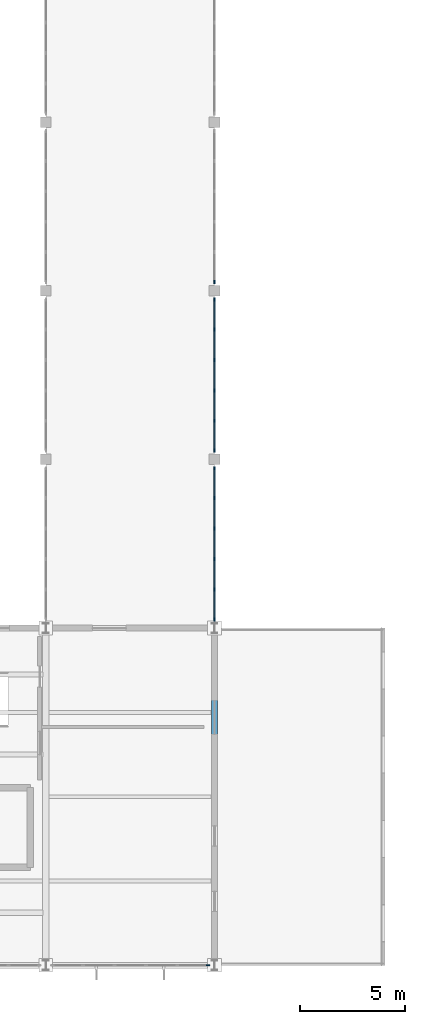
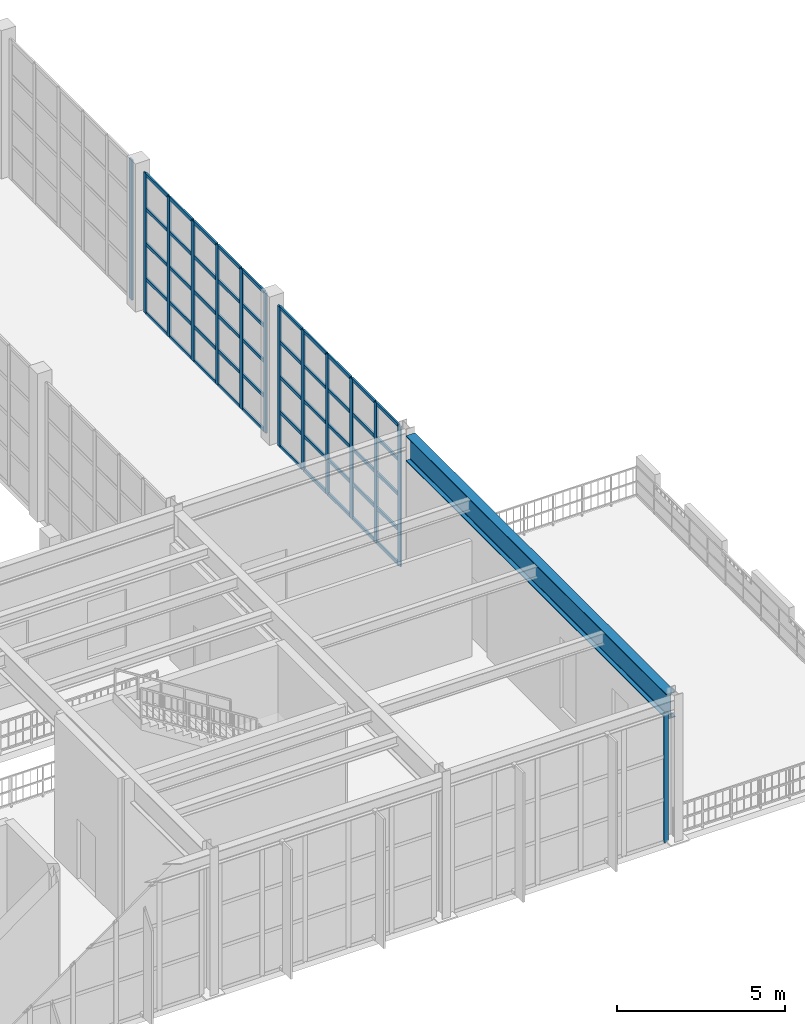
# One storey, part 39 of 82: 64 members, 1 beam, 4 elements without a shape of their own.
"""IFC4 building model written with IfcOpenShell, lengths in metres."""

from ifc_helpers import new_model, si_unit, direction, frame, origin, origin_2d, place, context, subcontext, project, spatial, rectangle, i_section, extrude, material, material_profile, profile_set, type_object, element, aggregate, save


model = new_model("IFC4")

# Units and contexts
model_context = context("Model", 3, precision=1e-05, world=origin(), true_north=direction((0.0, 1.0)))
body_context = subcontext(model_context, "Body", "Model", "MODEL_VIEW")
ifc_project = project(units=[si_unit("LENGTHUNIT", "METRE"), si_unit("AREAUNIT", "SQUARE_METRE"), si_unit("VOLUMEUNIT", "CUBIC_METRE"), si_unit("PLANEANGLEUNIT", "RADIAN"), si_unit("MASSUNIT", "GRAM", prefix="KILO")], contexts=[model_context])

# Site, building, storey
site_placement = place(None, origin())
site = spatial("IfcSite", under=ifc_project, at=site_placement, CompositionType="ELEMENT")
building_placement = place(site_placement, origin())
building = spatial("IfcBuilding", under=site, at=building_placement, Name="Serraluz Foothill Cableway Terminal", CompositionType="ELEMENT")
storey_placement = place(building_placement, frame((0.0, 0.0, 9.60009765625)))
storey = spatial("IfcBuildingStorey", under=building, at=storey_placement, Name="L02", CompositionType="ELEMENT", Elevation=9.60009765625)

# Beam
ifc_material_1 = material(Name="Steel ASTM A992 Grade 50", Category="steel")
ifc_material_profile_1 = material_profile(ifc_material_1, i_section(OverallWidth=0.30810546875, OverallDepth=0.927001953125, WebThickness=0.019287109375, FlangeThickness=0.031982421875, FilletRadius=0.02587890625, at=origin_2d()), Name="W36X194")
ifc_profile_set_1 = profile_set([ifc_material_profile_1], Name="Steel ASTM A992 Grade 50")
beam_type = type_object("IfcBeamType", Name="TYP-BM-W36X194", PredefinedType="BEAM", material=ifc_profile_set_1)
beam_placement = place(storey_placement, frame((128.0, 0.23193359375, 4.701416015625), z_axis=(0.0, 1.0, 0.0), x_axis=(-1.0, 0.0, 0.0)))
element("IfcBeam", 1, at=beam_placement, inside=storey, type_object=beam_type, Name="Transverse Girder BM-Y-L02-0344", PredefinedType="BEAM", context=body_context, shape_type="SweptSolid", body=[
    extrude(i_section(OverallWidth=0.30810546875, OverallDepth=0.927001953125, WebThickness=0.019287109375, FlangeThickness=0.031982421875, FilletRadius=0.02587890625, at=origin_2d()), origin(), (0.0, 0.0, 1.0), 15.5361328125),
])

# Curtain wall, member
ifc_material_2 = material(Name="Architectural bronze alloy C28000", Category="aluminium")
curtain_wall_type_1 = type_object("IfcCurtainWallType", Name="TYP-CW-440X360", PredefinedType="NOTDEFINED", material=ifc_material_2)
curtain_wall_1_placement = place(storey_placement, origin())
curtain_wall_1 = element("IfcCurtainWall", 2, at=curtain_wall_1_placement, inside=storey, type_object=curtain_wall_type_1, Name="Ribbed Glazed Curtain Wall CW-V3S-L02-120", PredefinedType="NOTDEFINED")
ifc_material_profile_2 = material_profile(ifc_material_2, rectangle(XDim=0.06005859375, YDim=0.159912109375, at=origin_2d()), Name="ALU MULLION 60x160")
ifc_profile_set_2 = profile_set([ifc_material_profile_2], Name="Architectural bronze alloy C28000")
member_type_1 = type_object("IfcMemberType", Name="TYP-CW-MUL-60X160", PredefinedType="MULLION", material=ifc_profile_set_2)
member_1_placement = place(storey_placement, frame((127.6884765625, 0.0, 0.0), z_axis=(0.0, 0.0, 1.0), x_axis=(0.0, -1.0, 0.0)))
member_1 = element("IfcMember", 3, at=member_1_placement, type_object=member_type_1, Name="CW-16 mullion 1", PredefinedType="MULLION", context=body_context, shape_type="SweptSolid", body=[
    extrude(rectangle(XDim=0.06005859375, YDim=0.159912109375, at=origin_2d()), origin(), (0.0, 0.0, 1.0), 4.69287109375),
])
aggregate(curtain_wall_1, [member_1])

# Curtain wall, members
curtain_wall_type_2 = type_object("IfcCurtainWallType", Name="TYP-CW-710X420", PredefinedType="NOTDEFINED", material=ifc_material_2)
curtain_wall_2_placement = place(storey_placement, origin())
curtain_wall_2 = element("IfcCurtainWall", 4, at=curtain_wall_2_placement, inside=storey, type_object=curtain_wall_type_2, Name="Ribbed Glazed Curtain Wall CW-CLE-L02-16", PredefinedType="NOTDEFINED")
member_2_placement = place(storey_placement, frame((128.0, 23.580078125, 0.0), z_axis=(0.0, 0.0, 1.0), x_axis=(1.0, 0.0, 0.0)))
member_2 = element("IfcMember", 5, at=member_2_placement, type_object=member_type_1, Name="CW-01 mullion 1", PredefinedType="MULLION", context=body_context, shape_type="SweptSolid", body=[
    extrude(rectangle(XDim=0.06005859375, YDim=0.159912109375, at=origin_2d()), origin(), (0.0, 0.0, 1.0), 5.099853515625),
])
member_3_placement = place(storey_placement, frame((128.0, 22.1630859375, 0.0), z_axis=(0.0, 0.0, 1.0), x_axis=(1.0, 0.0, 0.0)))
member_3 = element("IfcMember", 6, at=member_3_placement, type_object=member_type_1, Name="CW-01 mullion 2", PredefinedType="MULLION", context=body_context, shape_type="SweptSolid", body=[
    extrude(rectangle(XDim=0.06005859375, YDim=0.159912109375, at=origin_2d()), origin(), (0.0, 0.0, 1.0), 5.099853515625),
])
member_4_placement = place(storey_placement, frame((128.0, 20.71630859375, 0.0), z_axis=(0.0, 0.0, 1.0), x_axis=(1.0, 0.0, 0.0)))
member_4 = element("IfcMember", 7, at=member_4_placement, type_object=member_type_1, Name="CW-01 mullion 3", PredefinedType="MULLION", context=body_context, shape_type="SweptSolid", body=[
    extrude(rectangle(XDim=0.06005859375, YDim=0.159912109375, at=origin_2d()), origin(), (0.0, 0.0, 1.0), 5.099853515625),
])
member_5_placement = place(storey_placement, frame((128.0, 19.26953125, 0.0), z_axis=(0.0, 0.0, 1.0), x_axis=(1.0, 0.0, 0.0)))
member_5 = element("IfcMember", 8, at=member_5_placement, type_object=member_type_1, Name="CW-01 mullion 4", PredefinedType="MULLION", context=body_context, shape_type="SweptSolid", body=[
    extrude(rectangle(XDim=0.06005859375, YDim=0.159912109375, at=origin_2d()), origin(), (0.0, 0.0, 1.0), 5.099853515625),
])
member_6_placement = place(storey_placement, frame((128.0, 17.82275390625, 0.0), z_axis=(0.0, 0.0, 1.0), x_axis=(1.0, 0.0, 0.0)))
member_6 = element("IfcMember", 9, at=member_6_placement, type_object=member_type_1, Name="CW-01 mullion 5", PredefinedType="MULLION", context=body_context, shape_type="SweptSolid", body=[
    extrude(rectangle(XDim=0.06005859375, YDim=0.159912109375, at=origin_2d()), origin(), (0.0, 0.0, 1.0), 5.099853515625),
])
member_7_placement = place(storey_placement, frame((128.0, 16.406005859375, 0.0), z_axis=(0.0, 0.0, 1.0), x_axis=(1.0, 0.0, 0.0)))
member_7 = element("IfcMember", 10, at=member_7_placement, type_object=member_type_1, Name="CW-01 mullion 6", PredefinedType="MULLION", context=body_context, shape_type="SweptSolid", body=[
    extrude(rectangle(XDim=0.06005859375, YDim=0.159912109375, at=origin_2d()), origin(), (0.0, 0.0, 1.0), 5.099853515625),
])

curtain_wall_3_placement = place(storey_placement, origin())
curtain_wall_3 = element("IfcCurtainWall", 11, at=curtain_wall_3_placement, inside=storey, type_object=curtain_wall_type_2, Name="Ribbed Glazed Curtain Wall CW-CLE-L02-24", PredefinedType="NOTDEFINED")
member_8_placement = place(storey_placement, frame((128.0, 31.580078125, 0.0), z_axis=(0.0, 0.0, 1.0), x_axis=(1.0, 0.0, 0.0)))
member_8 = element("IfcMember", 12, at=member_8_placement, type_object=member_type_1, Name="CW-01 mullion 1", PredefinedType="MULLION", context=body_context, shape_type="SweptSolid", body=[
    extrude(rectangle(XDim=0.06005859375, YDim=0.159912109375, at=origin_2d()), origin(), (0.0, 0.0, 1.0), 5.099853515625),
])
member_9_placement = place(storey_placement, frame((128.0, 30.166015625, 0.0), z_axis=(0.0, 0.0, 1.0), x_axis=(1.0, 0.0, 0.0)))
member_9 = element("IfcMember", 13, at=member_9_placement, type_object=member_type_1, Name="CW-01 mullion 2", PredefinedType="MULLION", context=body_context, shape_type="SweptSolid", body=[
    extrude(rectangle(XDim=0.06005859375, YDim=0.159912109375, at=origin_2d()), origin(), (0.0, 0.0, 1.0), 5.099853515625),
])
member_10_placement = place(storey_placement, frame((128.0, 28.721923828125, 0.0), z_axis=(0.0, 0.0, 1.0), x_axis=(1.0, 0.0, 0.0)))
member_10 = element("IfcMember", 14, at=member_10_placement, type_object=member_type_1, Name="CW-01 mullion 3", PredefinedType="MULLION", context=body_context, shape_type="SweptSolid", body=[
    extrude(rectangle(XDim=0.06005859375, YDim=0.159912109375, at=origin_2d()), origin(), (0.0, 0.0, 1.0), 5.099853515625),
])
member_11_placement = place(storey_placement, frame((128.0, 27.278076171875, 0.0), z_axis=(0.0, 0.0, 1.0), x_axis=(1.0, 0.0, 0.0)))
member_11 = element("IfcMember", 15, at=member_11_placement, type_object=member_type_1, Name="CW-01 mullion 4", PredefinedType="MULLION", context=body_context, shape_type="SweptSolid", body=[
    extrude(rectangle(XDim=0.06005859375, YDim=0.159912109375, at=origin_2d()), origin(), (0.0, 0.0, 1.0), 5.099853515625),
])
member_12_placement = place(storey_placement, frame((128.0, 25.833984375, 0.0), z_axis=(0.0, 0.0, 1.0), x_axis=(1.0, 0.0, 0.0)))
member_12 = element("IfcMember", 16, at=member_12_placement, type_object=member_type_1, Name="CW-01 mullion 5", PredefinedType="MULLION", context=body_context, shape_type="SweptSolid", body=[
    extrude(rectangle(XDim=0.06005859375, YDim=0.159912109375, at=origin_2d()), origin(), (0.0, 0.0, 1.0), 5.099853515625),
])
member_13_placement = place(storey_placement, frame((128.0, 24.419921875, 0.0), z_axis=(0.0, 0.0, 1.0), x_axis=(1.0, 0.0, 0.0)))
member_13 = element("IfcMember", 17, at=member_13_placement, type_object=member_type_1, Name="CW-01 mullion 6", PredefinedType="MULLION", context=body_context, shape_type="SweptSolid", body=[
    extrude(rectangle(XDim=0.06005859375, YDim=0.159912109375, at=origin_2d()), origin(), (0.0, 0.0, 1.0), 5.099853515625),
])

# Curtain wall, member
curtain_wall_4_placement = place(storey_placement, origin())
curtain_wall_4 = element("IfcCurtainWall", 18, at=curtain_wall_4_placement, inside=storey, type_object=curtain_wall_type_2, Name="Ribbed Glazed Curtain Wall CW-CLE-L02-32", PredefinedType="NOTDEFINED")
member_14_placement = place(storey_placement, frame((128.0, 32.419921875, 0.0), z_axis=(0.0, 0.0, 1.0), x_axis=(1.0, 0.0, 0.0)))
member_14 = element("IfcMember", 19, at=member_14_placement, type_object=member_type_1, Name="CW-01 mullion 6", PredefinedType="MULLION", context=body_context, shape_type="SweptSolid", body=[
    extrude(rectangle(XDim=0.06005859375, YDim=0.159912109375, at=origin_2d()), origin(), (0.0, 0.0, 1.0), 5.099853515625),
])
aggregate(curtain_wall_4, [member_14])

# Member
ifc_material_profile_3 = material_profile(ifc_material_2, rectangle(XDim=0.06005859375, YDim=0.1201171875, at=origin_2d()), Name="ALU TRANSOM 60x120")
ifc_profile_set_3 = profile_set([ifc_material_profile_3], Name="Architectural bronze alloy C28000")
member_type_2 = type_object("IfcMemberType", Name="TYP-CW-TRN-60X120", PredefinedType="USERDEFINED", material=ifc_profile_set_3)
member_15_placement = place(storey_placement, frame((128.0, 23.550048828125, 0.02978515625), z_axis=(0.0, -1.0, 0.0), x_axis=(1.0, 0.0, 0.0)))
member_15 = element("IfcMember", 20, at=member_15_placement, type_object=member_type_2, Name="CW-01 transom 1.1", ObjectType="TRANSOM", PredefinedType="USERDEFINED", context=body_context, shape_type="SweptSolid", body=[
    extrude(rectangle(XDim=0.06005859375, YDim=0.1201171875, at=origin_2d()), origin(), (0.0, 0.0, 1.0), 1.35693359375),
])

member_16_placement = place(storey_placement, frame((128.0, 23.550048828125, 1.27490234375), z_axis=(0.0, -1.0, 0.0), x_axis=(1.0, 0.0, 0.0)))
member_16 = element("IfcMember", 21, at=member_16_placement, type_object=member_type_2, Name="CW-01 transom 1.2", ObjectType="TRANSOM", PredefinedType="USERDEFINED", context=body_context, shape_type="SweptSolid", body=[
    extrude(rectangle(XDim=0.06005859375, YDim=0.1201171875, at=origin_2d()), origin(), (0.0, 0.0, 1.0), 1.35693359375),
])

member_17_placement = place(storey_placement, frame((128.0, 23.550048828125, 2.5498046875), z_axis=(0.0, -1.0, 0.0), x_axis=(1.0, 0.0, 0.0)))
member_17 = element("IfcMember", 22, at=member_17_placement, type_object=member_type_2, Name="CW-01 transom 1.3", ObjectType="TRANSOM", PredefinedType="USERDEFINED", context=body_context, shape_type="SweptSolid", body=[
    extrude(rectangle(XDim=0.06005859375, YDim=0.1201171875, at=origin_2d()), origin(), (0.0, 0.0, 1.0), 1.35693359375),
])

member_18_placement = place(storey_placement, frame((128.0, 23.550048828125, 3.824951171875), z_axis=(0.0, -1.0, 0.0), x_axis=(1.0, 0.0, 0.0)))
member_18 = element("IfcMember", 23, at=member_18_placement, type_object=member_type_2, Name="CW-01 transom 1.4", ObjectType="TRANSOM", PredefinedType="USERDEFINED", context=body_context, shape_type="SweptSolid", body=[
    extrude(rectangle(XDim=0.06005859375, YDim=0.1201171875, at=origin_2d()), origin(), (0.0, 0.0, 1.0), 1.35693359375),
])

member_19_placement = place(storey_placement, frame((128.0, 23.550048828125, 5.06982421875), z_axis=(0.0, -1.0, 0.0), x_axis=(1.0, 0.0, 0.0)))
member_19 = element("IfcMember", 24, at=member_19_placement, type_object=member_type_2, Name="CW-01 transom 1.5", ObjectType="TRANSOM", PredefinedType="USERDEFINED", context=body_context, shape_type="SweptSolid", body=[
    extrude(rectangle(XDim=0.06005859375, YDim=0.1201171875, at=origin_2d()), origin(), (0.0, 0.0, 1.0), 1.35693359375),
])

member_20_placement = place(storey_placement, frame((128.0, 22.13330078125, 0.02978515625), z_axis=(0.0, -1.0, 0.0), x_axis=(1.0, 0.0, 0.0)))
member_20 = element("IfcMember", 25, at=member_20_placement, type_object=member_type_2, Name="CW-01 transom 2.1", ObjectType="TRANSOM", PredefinedType="USERDEFINED", context=body_context, shape_type="SweptSolid", body=[
    extrude(rectangle(XDim=0.06005859375, YDim=0.1201171875, at=origin_2d()), origin(), (0.0, 0.0, 1.0), 1.386962890625),
])

member_21_placement = place(storey_placement, frame((128.0, 22.13330078125, 1.27490234375), z_axis=(0.0, -1.0, 0.0), x_axis=(1.0, 0.0, 0.0)))
member_21 = element("IfcMember", 26, at=member_21_placement, type_object=member_type_2, Name="CW-01 transom 2.2", ObjectType="TRANSOM", PredefinedType="USERDEFINED", context=body_context, shape_type="SweptSolid", body=[
    extrude(rectangle(XDim=0.06005859375, YDim=0.1201171875, at=origin_2d()), origin(), (0.0, 0.0, 1.0), 1.386962890625),
])

member_22_placement = place(storey_placement, frame((128.0, 22.13330078125, 2.5498046875), z_axis=(0.0, -1.0, 0.0), x_axis=(1.0, 0.0, 0.0)))
member_22 = element("IfcMember", 27, at=member_22_placement, type_object=member_type_2, Name="CW-01 transom 2.3", ObjectType="TRANSOM", PredefinedType="USERDEFINED", context=body_context, shape_type="SweptSolid", body=[
    extrude(rectangle(XDim=0.06005859375, YDim=0.1201171875, at=origin_2d()), origin(), (0.0, 0.0, 1.0), 1.386962890625),
])

member_23_placement = place(storey_placement, frame((128.0, 22.13330078125, 3.824951171875), z_axis=(0.0, -1.0, 0.0), x_axis=(1.0, 0.0, 0.0)))
member_23 = element("IfcMember", 28, at=member_23_placement, type_object=member_type_2, Name="CW-01 transom 2.4", ObjectType="TRANSOM", PredefinedType="USERDEFINED", context=body_context, shape_type="SweptSolid", body=[
    extrude(rectangle(XDim=0.06005859375, YDim=0.1201171875, at=origin_2d()), origin(), (0.0, 0.0, 1.0), 1.386962890625),
])

member_24_placement = place(storey_placement, frame((128.0, 22.13330078125, 5.06982421875), z_axis=(0.0, -1.0, 0.0), x_axis=(1.0, 0.0, 0.0)))
member_24 = element("IfcMember", 29, at=member_24_placement, type_object=member_type_2, Name="CW-01 transom 2.5", ObjectType="TRANSOM", PredefinedType="USERDEFINED", context=body_context, shape_type="SweptSolid", body=[
    extrude(rectangle(XDim=0.06005859375, YDim=0.1201171875, at=origin_2d()), origin(), (0.0, 0.0, 1.0), 1.386962890625),
])

member_25_placement = place(storey_placement, frame((128.0, 20.686279296875, 0.02978515625), z_axis=(0.0, -1.0, 0.0), x_axis=(1.0, 0.0, 0.0)))
member_25 = element("IfcMember", 30, at=member_25_placement, type_object=member_type_2, Name="CW-01 transom 3.1", ObjectType="TRANSOM", PredefinedType="USERDEFINED", context=body_context, shape_type="SweptSolid", body=[
    extrude(rectangle(XDim=0.06005859375, YDim=0.1201171875, at=origin_2d()), origin(), (0.0, 0.0, 1.0), 1.38671875),
])

member_26_placement = place(storey_placement, frame((128.0, 20.686279296875, 1.27490234375), z_axis=(0.0, -1.0, 0.0), x_axis=(1.0, 0.0, 0.0)))
member_26 = element("IfcMember", 31, at=member_26_placement, type_object=member_type_2, Name="CW-01 transom 3.2", ObjectType="TRANSOM", PredefinedType="USERDEFINED", context=body_context, shape_type="SweptSolid", body=[
    extrude(rectangle(XDim=0.06005859375, YDim=0.1201171875, at=origin_2d()), origin(), (0.0, 0.0, 1.0), 1.38671875),
])

member_27_placement = place(storey_placement, frame((128.0, 20.686279296875, 2.5498046875), z_axis=(0.0, -1.0, 0.0), x_axis=(1.0, 0.0, 0.0)))
member_27 = element("IfcMember", 32, at=member_27_placement, type_object=member_type_2, Name="CW-01 transom 3.3", ObjectType="TRANSOM", PredefinedType="USERDEFINED", context=body_context, shape_type="SweptSolid", body=[
    extrude(rectangle(XDim=0.06005859375, YDim=0.1201171875, at=origin_2d()), origin(), (0.0, 0.0, 1.0), 1.38671875),
])

member_28_placement = place(storey_placement, frame((128.0, 20.686279296875, 3.824951171875), z_axis=(0.0, -1.0, 0.0), x_axis=(1.0, 0.0, 0.0)))
member_28 = element("IfcMember", 33, at=member_28_placement, type_object=member_type_2, Name="CW-01 transom 3.4", ObjectType="TRANSOM", PredefinedType="USERDEFINED", context=body_context, shape_type="SweptSolid", body=[
    extrude(rectangle(XDim=0.06005859375, YDim=0.1201171875, at=origin_2d()), origin(), (0.0, 0.0, 1.0), 1.38671875),
])

member_29_placement = place(storey_placement, frame((128.0, 20.686279296875, 5.06982421875), z_axis=(0.0, -1.0, 0.0), x_axis=(1.0, 0.0, 0.0)))
member_29 = element("IfcMember", 34, at=member_29_placement, type_object=member_type_2, Name="CW-01 transom 3.5", ObjectType="TRANSOM", PredefinedType="USERDEFINED", context=body_context, shape_type="SweptSolid", body=[
    extrude(rectangle(XDim=0.06005859375, YDim=0.1201171875, at=origin_2d()), origin(), (0.0, 0.0, 1.0), 1.38671875),
])

member_30_placement = place(storey_placement, frame((128.0, 19.239501953125, 0.02978515625), z_axis=(0.0, -1.0, 0.0), x_axis=(1.0, 0.0, 0.0)))
member_30 = element("IfcMember", 35, at=member_30_placement, type_object=member_type_2, Name="CW-01 transom 4.1", ObjectType="TRANSOM", PredefinedType="USERDEFINED", context=body_context, shape_type="SweptSolid", body=[
    extrude(rectangle(XDim=0.06005859375, YDim=0.1201171875, at=origin_2d()), origin(), (0.0, 0.0, 1.0), 1.38671875),
])

member_31_placement = place(storey_placement, frame((128.0, 19.239501953125, 1.27490234375), z_axis=(0.0, -1.0, 0.0), x_axis=(1.0, 0.0, 0.0)))
member_31 = element("IfcMember", 36, at=member_31_placement, type_object=member_type_2, Name="CW-01 transom 4.2", ObjectType="TRANSOM", PredefinedType="USERDEFINED", context=body_context, shape_type="SweptSolid", body=[
    extrude(rectangle(XDim=0.06005859375, YDim=0.1201171875, at=origin_2d()), origin(), (0.0, 0.0, 1.0), 1.38671875),
])

member_32_placement = place(storey_placement, frame((128.0, 19.239501953125, 2.5498046875), z_axis=(0.0, -1.0, 0.0), x_axis=(1.0, 0.0, 0.0)))
member_32 = element("IfcMember", 37, at=member_32_placement, type_object=member_type_2, Name="CW-01 transom 4.3", ObjectType="TRANSOM", PredefinedType="USERDEFINED", context=body_context, shape_type="SweptSolid", body=[
    extrude(rectangle(XDim=0.06005859375, YDim=0.1201171875, at=origin_2d()), origin(), (0.0, 0.0, 1.0), 1.38671875),
])

member_33_placement = place(storey_placement, frame((128.0, 19.239501953125, 3.824951171875), z_axis=(0.0, -1.0, 0.0), x_axis=(1.0, 0.0, 0.0)))
member_33 = element("IfcMember", 38, at=member_33_placement, type_object=member_type_2, Name="CW-01 transom 4.4", ObjectType="TRANSOM", PredefinedType="USERDEFINED", context=body_context, shape_type="SweptSolid", body=[
    extrude(rectangle(XDim=0.06005859375, YDim=0.1201171875, at=origin_2d()), origin(), (0.0, 0.0, 1.0), 1.38671875),
])

member_34_placement = place(storey_placement, frame((128.0, 19.239501953125, 5.06982421875), z_axis=(0.0, -1.0, 0.0), x_axis=(1.0, 0.0, 0.0)))
member_34 = element("IfcMember", 39, at=member_34_placement, type_object=member_type_2, Name="CW-01 transom 4.5", ObjectType="TRANSOM", PredefinedType="USERDEFINED", context=body_context, shape_type="SweptSolid", body=[
    extrude(rectangle(XDim=0.06005859375, YDim=0.1201171875, at=origin_2d()), origin(), (0.0, 0.0, 1.0), 1.38671875),
])

member_35_placement = place(storey_placement, frame((128.0, 17.792724609375, 0.02978515625), z_axis=(0.0, -1.0, 0.0), x_axis=(1.0, 0.0, 0.0)))
member_35 = element("IfcMember", 40, at=member_35_placement, type_object=member_type_2, Name="CW-01 transom 5.1", ObjectType="TRANSOM", PredefinedType="USERDEFINED", context=body_context, shape_type="SweptSolid", body=[
    extrude(rectangle(XDim=0.06005859375, YDim=0.1201171875, at=origin_2d()), origin(), (0.0, 0.0, 1.0), 1.356689453125),
])

member_36_placement = place(storey_placement, frame((128.0, 17.792724609375, 1.27490234375), z_axis=(0.0, -1.0, 0.0), x_axis=(1.0, 0.0, 0.0)))
member_36 = element("IfcMember", 41, at=member_36_placement, type_object=member_type_2, Name="CW-01 transom 5.2", ObjectType="TRANSOM", PredefinedType="USERDEFINED", context=body_context, shape_type="SweptSolid", body=[
    extrude(rectangle(XDim=0.06005859375, YDim=0.1201171875, at=origin_2d()), origin(), (0.0, 0.0, 1.0), 1.356689453125),
])

member_37_placement = place(storey_placement, frame((128.0, 17.792724609375, 2.5498046875), z_axis=(0.0, -1.0, 0.0), x_axis=(1.0, 0.0, 0.0)))
member_37 = element("IfcMember", 42, at=member_37_placement, type_object=member_type_2, Name="CW-01 transom 5.3", ObjectType="TRANSOM", PredefinedType="USERDEFINED", context=body_context, shape_type="SweptSolid", body=[
    extrude(rectangle(XDim=0.06005859375, YDim=0.1201171875, at=origin_2d()), origin(), (0.0, 0.0, 1.0), 1.356689453125),
])

member_38_placement = place(storey_placement, frame((128.0, 17.792724609375, 3.824951171875), z_axis=(0.0, -1.0, 0.0), x_axis=(1.0, 0.0, 0.0)))
member_38 = element("IfcMember", 43, at=member_38_placement, type_object=member_type_2, Name="CW-01 transom 5.4", ObjectType="TRANSOM", PredefinedType="USERDEFINED", context=body_context, shape_type="SweptSolid", body=[
    extrude(rectangle(XDim=0.06005859375, YDim=0.1201171875, at=origin_2d()), origin(), (0.0, 0.0, 1.0), 1.356689453125),
])

member_39_placement = place(storey_placement, frame((128.0, 17.792724609375, 5.06982421875), z_axis=(0.0, -1.0, 0.0), x_axis=(1.0, 0.0, 0.0)))
member_39 = element("IfcMember", 44, at=member_39_placement, type_object=member_type_2, Name="CW-01 transom 5.5", ObjectType="TRANSOM", PredefinedType="USERDEFINED", context=body_context, shape_type="SweptSolid", body=[
    extrude(rectangle(XDim=0.06005859375, YDim=0.1201171875, at=origin_2d()), origin(), (0.0, 0.0, 1.0), 1.356689453125),
])

aggregate(curtain_wall_2, [member_2, member_3, member_4, member_5, member_6, member_7, member_15, member_16, member_17, member_18, member_19, member_20, member_21, member_22, member_23, member_24, member_25, member_26, member_27, member_28, member_29, member_30, member_31, member_32, member_33, member_34, member_35, member_36, member_37, member_38, member_39])

member_40_placement = place(storey_placement, frame((128.0, 31.550048828125, 0.02978515625), z_axis=(0.0, -1.0, 0.0), x_axis=(1.0, 0.0, 0.0)))
member_40 = element("IfcMember", 45, at=member_40_placement, type_object=member_type_2, Name="CW-01 transom 1.1", ObjectType="TRANSOM", PredefinedType="USERDEFINED", context=body_context, shape_type="SweptSolid", body=[
    extrude(rectangle(XDim=0.06005859375, YDim=0.1201171875, at=origin_2d()), origin(), (0.0, 0.0, 1.0), 1.35400390625),
])

member_41_placement = place(storey_placement, frame((128.0, 31.550048828125, 1.27490234375), z_axis=(0.0, -1.0, 0.0), x_axis=(1.0, 0.0, 0.0)))
member_41 = element("IfcMember", 46, at=member_41_placement, type_object=member_type_2, Name="CW-01 transom 1.2", ObjectType="TRANSOM", PredefinedType="USERDEFINED", context=body_context, shape_type="SweptSolid", body=[
    extrude(rectangle(XDim=0.06005859375, YDim=0.1201171875, at=origin_2d()), origin(), (0.0, 0.0, 1.0), 1.35400390625),
])

member_42_placement = place(storey_placement, frame((128.0, 31.550048828125, 2.5498046875), z_axis=(0.0, -1.0, 0.0), x_axis=(1.0, 0.0, 0.0)))
member_42 = element("IfcMember", 47, at=member_42_placement, type_object=member_type_2, Name="CW-01 transom 1.3", ObjectType="TRANSOM", PredefinedType="USERDEFINED", context=body_context, shape_type="SweptSolid", body=[
    extrude(rectangle(XDim=0.06005859375, YDim=0.1201171875, at=origin_2d()), origin(), (0.0, 0.0, 1.0), 1.35400390625),
])

member_43_placement = place(storey_placement, frame((128.0, 31.550048828125, 3.824951171875), z_axis=(0.0, -1.0, 0.0), x_axis=(1.0, 0.0, 0.0)))
member_43 = element("IfcMember", 48, at=member_43_placement, type_object=member_type_2, Name="CW-01 transom 1.4", ObjectType="TRANSOM", PredefinedType="USERDEFINED", context=body_context, shape_type="SweptSolid", body=[
    extrude(rectangle(XDim=0.06005859375, YDim=0.1201171875, at=origin_2d()), origin(), (0.0, 0.0, 1.0), 1.35400390625),
])

member_44_placement = place(storey_placement, frame((128.0, 31.550048828125, 5.06982421875), z_axis=(0.0, -1.0, 0.0), x_axis=(1.0, 0.0, 0.0)))
member_44 = element("IfcMember", 49, at=member_44_placement, type_object=member_type_2, Name="CW-01 transom 1.5", ObjectType="TRANSOM", PredefinedType="USERDEFINED", context=body_context, shape_type="SweptSolid", body=[
    extrude(rectangle(XDim=0.06005859375, YDim=0.1201171875, at=origin_2d()), origin(), (0.0, 0.0, 1.0), 1.35400390625),
])

member_45_placement = place(storey_placement, frame((128.0, 30.135986328125, 0.02978515625), z_axis=(0.0, -1.0, 0.0), x_axis=(1.0, 0.0, 0.0)))
member_45 = element("IfcMember", 50, at=member_45_placement, type_object=member_type_2, Name="CW-01 transom 2.1", ObjectType="TRANSOM", PredefinedType="USERDEFINED", context=body_context, shape_type="SweptSolid", body=[
    extrude(rectangle(XDim=0.06005859375, YDim=0.1201171875, at=origin_2d()), origin(), (0.0, 0.0, 1.0), 1.384033203125),
])

member_46_placement = place(storey_placement, frame((128.0, 30.135986328125, 1.27490234375), z_axis=(0.0, -1.0, 0.0), x_axis=(1.0, 0.0, 0.0)))
member_46 = element("IfcMember", 51, at=member_46_placement, type_object=member_type_2, Name="CW-01 transom 2.2", ObjectType="TRANSOM", PredefinedType="USERDEFINED", context=body_context, shape_type="SweptSolid", body=[
    extrude(rectangle(XDim=0.06005859375, YDim=0.1201171875, at=origin_2d()), origin(), (0.0, 0.0, 1.0), 1.384033203125),
])

member_47_placement = place(storey_placement, frame((128.0, 30.135986328125, 2.5498046875), z_axis=(0.0, -1.0, 0.0), x_axis=(1.0, 0.0, 0.0)))
member_47 = element("IfcMember", 52, at=member_47_placement, type_object=member_type_2, Name="CW-01 transom 2.3", ObjectType="TRANSOM", PredefinedType="USERDEFINED", context=body_context, shape_type="SweptSolid", body=[
    extrude(rectangle(XDim=0.06005859375, YDim=0.1201171875, at=origin_2d()), origin(), (0.0, 0.0, 1.0), 1.384033203125),
])

member_48_placement = place(storey_placement, frame((128.0, 30.135986328125, 3.824951171875), z_axis=(0.0, -1.0, 0.0), x_axis=(1.0, 0.0, 0.0)))
member_48 = element("IfcMember", 53, at=member_48_placement, type_object=member_type_2, Name="CW-01 transom 2.4", ObjectType="TRANSOM", PredefinedType="USERDEFINED", context=body_context, shape_type="SweptSolid", body=[
    extrude(rectangle(XDim=0.06005859375, YDim=0.1201171875, at=origin_2d()), origin(), (0.0, 0.0, 1.0), 1.384033203125),
])

member_49_placement = place(storey_placement, frame((128.0, 30.135986328125, 5.06982421875), z_axis=(0.0, -1.0, 0.0), x_axis=(1.0, 0.0, 0.0)))
member_49 = element("IfcMember", 54, at=member_49_placement, type_object=member_type_2, Name="CW-01 transom 2.5", ObjectType="TRANSOM", PredefinedType="USERDEFINED", context=body_context, shape_type="SweptSolid", body=[
    extrude(rectangle(XDim=0.06005859375, YDim=0.1201171875, at=origin_2d()), origin(), (0.0, 0.0, 1.0), 1.384033203125),
])

member_50_placement = place(storey_placement, frame((128.0, 28.69189453125, 0.02978515625), z_axis=(0.0, -1.0, 0.0), x_axis=(1.0, 0.0, 0.0)))
member_50 = element("IfcMember", 55, at=member_50_placement, type_object=member_type_2, Name="CW-01 transom 3.1", ObjectType="TRANSOM", PredefinedType="USERDEFINED", context=body_context, shape_type="SweptSolid", body=[
    extrude(rectangle(XDim=0.06005859375, YDim=0.1201171875, at=origin_2d()), origin(), (0.0, 0.0, 1.0), 1.3837890625),
])

member_51_placement = place(storey_placement, frame((128.0, 28.69189453125, 1.27490234375), z_axis=(0.0, -1.0, 0.0), x_axis=(1.0, 0.0, 0.0)))
member_51 = element("IfcMember", 56, at=member_51_placement, type_object=member_type_2, Name="CW-01 transom 3.2", ObjectType="TRANSOM", PredefinedType="USERDEFINED", context=body_context, shape_type="SweptSolid", body=[
    extrude(rectangle(XDim=0.06005859375, YDim=0.1201171875, at=origin_2d()), origin(), (0.0, 0.0, 1.0), 1.3837890625),
])

member_52_placement = place(storey_placement, frame((128.0, 28.69189453125, 2.5498046875), z_axis=(0.0, -1.0, 0.0), x_axis=(1.0, 0.0, 0.0)))
member_52 = element("IfcMember", 57, at=member_52_placement, type_object=member_type_2, Name="CW-01 transom 3.3", ObjectType="TRANSOM", PredefinedType="USERDEFINED", context=body_context, shape_type="SweptSolid", body=[
    extrude(rectangle(XDim=0.06005859375, YDim=0.1201171875, at=origin_2d()), origin(), (0.0, 0.0, 1.0), 1.3837890625),
])

member_53_placement = place(storey_placement, frame((128.0, 28.69189453125, 3.824951171875), z_axis=(0.0, -1.0, 0.0), x_axis=(1.0, 0.0, 0.0)))
member_53 = element("IfcMember", 58, at=member_53_placement, type_object=member_type_2, Name="CW-01 transom 3.4", ObjectType="TRANSOM", PredefinedType="USERDEFINED", context=body_context, shape_type="SweptSolid", body=[
    extrude(rectangle(XDim=0.06005859375, YDim=0.1201171875, at=origin_2d()), origin(), (0.0, 0.0, 1.0), 1.3837890625),
])

member_54_placement = place(storey_placement, frame((128.0, 28.69189453125, 5.06982421875), z_axis=(0.0, -1.0, 0.0), x_axis=(1.0, 0.0, 0.0)))
member_54 = element("IfcMember", 59, at=member_54_placement, type_object=member_type_2, Name="CW-01 transom 3.5", ObjectType="TRANSOM", PredefinedType="USERDEFINED", context=body_context, shape_type="SweptSolid", body=[
    extrude(rectangle(XDim=0.06005859375, YDim=0.1201171875, at=origin_2d()), origin(), (0.0, 0.0, 1.0), 1.3837890625),
])

member_55_placement = place(storey_placement, frame((128.0, 27.248046875, 0.02978515625), z_axis=(0.0, -1.0, 0.0), x_axis=(1.0, 0.0, 0.0)))
member_55 = element("IfcMember", 60, at=member_55_placement, type_object=member_type_2, Name="CW-01 transom 4.1", ObjectType="TRANSOM", PredefinedType="USERDEFINED", context=body_context, shape_type="SweptSolid", body=[
    extrude(rectangle(XDim=0.06005859375, YDim=0.1201171875, at=origin_2d()), origin(), (0.0, 0.0, 1.0), 1.384033203125),
])

member_56_placement = place(storey_placement, frame((128.0, 27.248046875, 1.27490234375), z_axis=(0.0, -1.0, 0.0), x_axis=(1.0, 0.0, 0.0)))
member_56 = element("IfcMember", 61, at=member_56_placement, type_object=member_type_2, Name="CW-01 transom 4.2", ObjectType="TRANSOM", PredefinedType="USERDEFINED", context=body_context, shape_type="SweptSolid", body=[
    extrude(rectangle(XDim=0.06005859375, YDim=0.1201171875, at=origin_2d()), origin(), (0.0, 0.0, 1.0), 1.384033203125),
])

member_57_placement = place(storey_placement, frame((128.0, 27.248046875, 2.5498046875), z_axis=(0.0, -1.0, 0.0), x_axis=(1.0, 0.0, 0.0)))
member_57 = element("IfcMember", 62, at=member_57_placement, type_object=member_type_2, Name="CW-01 transom 4.3", ObjectType="TRANSOM", PredefinedType="USERDEFINED", context=body_context, shape_type="SweptSolid", body=[
    extrude(rectangle(XDim=0.06005859375, YDim=0.1201171875, at=origin_2d()), origin(), (0.0, 0.0, 1.0), 1.384033203125),
])

member_58_placement = place(storey_placement, frame((128.0, 27.248046875, 3.824951171875), z_axis=(0.0, -1.0, 0.0), x_axis=(1.0, 0.0, 0.0)))
member_58 = element("IfcMember", 63, at=member_58_placement, type_object=member_type_2, Name="CW-01 transom 4.4", ObjectType="TRANSOM", PredefinedType="USERDEFINED", context=body_context, shape_type="SweptSolid", body=[
    extrude(rectangle(XDim=0.06005859375, YDim=0.1201171875, at=origin_2d()), origin(), (0.0, 0.0, 1.0), 1.384033203125),
])

member_59_placement = place(storey_placement, frame((128.0, 27.248046875, 5.06982421875), z_axis=(0.0, -1.0, 0.0), x_axis=(1.0, 0.0, 0.0)))
member_59 = element("IfcMember", 64, at=member_59_placement, type_object=member_type_2, Name="CW-01 transom 4.5", ObjectType="TRANSOM", PredefinedType="USERDEFINED", context=body_context, shape_type="SweptSolid", body=[
    extrude(rectangle(XDim=0.06005859375, YDim=0.1201171875, at=origin_2d()), origin(), (0.0, 0.0, 1.0), 1.384033203125),
])

member_60_placement = place(storey_placement, frame((128.0, 25.803955078125, 0.02978515625), z_axis=(0.0, -1.0, 0.0), x_axis=(1.0, 0.0, 0.0)))
member_60 = element("IfcMember", 65, at=member_60_placement, type_object=member_type_2, Name="CW-01 transom 5.1", ObjectType="TRANSOM", PredefinedType="USERDEFINED", context=body_context, shape_type="SweptSolid", body=[
    extrude(rectangle(XDim=0.06005859375, YDim=0.1201171875, at=origin_2d()), origin(), (0.0, 0.0, 1.0), 1.35400390625),
])

member_61_placement = place(storey_placement, frame((128.0, 25.803955078125, 1.27490234375), z_axis=(0.0, -1.0, 0.0), x_axis=(1.0, 0.0, 0.0)))
member_61 = element("IfcMember", 66, at=member_61_placement, type_object=member_type_2, Name="CW-01 transom 5.2", ObjectType="TRANSOM", PredefinedType="USERDEFINED", context=body_context, shape_type="SweptSolid", body=[
    extrude(rectangle(XDim=0.06005859375, YDim=0.1201171875, at=origin_2d()), origin(), (0.0, 0.0, 1.0), 1.35400390625),
])

member_62_placement = place(storey_placement, frame((128.0, 25.803955078125, 2.5498046875), z_axis=(0.0, -1.0, 0.0), x_axis=(1.0, 0.0, 0.0)))
member_62 = element("IfcMember", 67, at=member_62_placement, type_object=member_type_2, Name="CW-01 transom 5.3", ObjectType="TRANSOM", PredefinedType="USERDEFINED", context=body_context, shape_type="SweptSolid", body=[
    extrude(rectangle(XDim=0.06005859375, YDim=0.1201171875, at=origin_2d()), origin(), (0.0, 0.0, 1.0), 1.35400390625),
])

member_63_placement = place(storey_placement, frame((128.0, 25.803955078125, 3.824951171875), z_axis=(0.0, -1.0, 0.0), x_axis=(1.0, 0.0, 0.0)))
member_63 = element("IfcMember", 68, at=member_63_placement, type_object=member_type_2, Name="CW-01 transom 5.4", ObjectType="TRANSOM", PredefinedType="USERDEFINED", context=body_context, shape_type="SweptSolid", body=[
    extrude(rectangle(XDim=0.06005859375, YDim=0.1201171875, at=origin_2d()), origin(), (0.0, 0.0, 1.0), 1.35400390625),
])

member_64_placement = place(storey_placement, frame((128.0, 25.803955078125, 5.06982421875), z_axis=(0.0, -1.0, 0.0), x_axis=(1.0, 0.0, 0.0)))
member_64 = element("IfcMember", 69, at=member_64_placement, type_object=member_type_2, Name="CW-01 transom 5.5", ObjectType="TRANSOM", PredefinedType="USERDEFINED", context=body_context, shape_type="SweptSolid", body=[
    extrude(rectangle(XDim=0.06005859375, YDim=0.1201171875, at=origin_2d()), origin(), (0.0, 0.0, 1.0), 1.35400390625),
])

aggregate(curtain_wall_3, [member_8, member_9, member_10, member_11, member_12, member_13, member_40, member_41, member_42, member_43, member_44, member_45, member_46, member_47, member_48, member_49, member_50, member_51, member_52, member_53, member_54, member_55, member_56, member_57, member_58, member_59, member_60, member_61, member_62, member_63, member_64])

save(model, "model.ifc")
